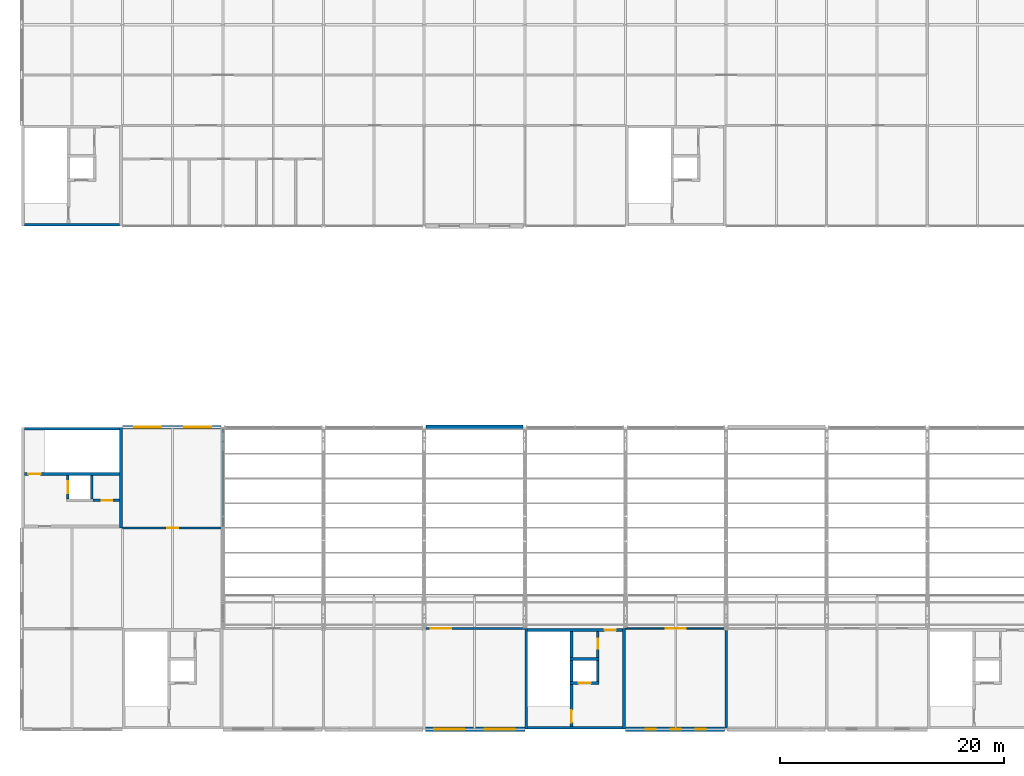
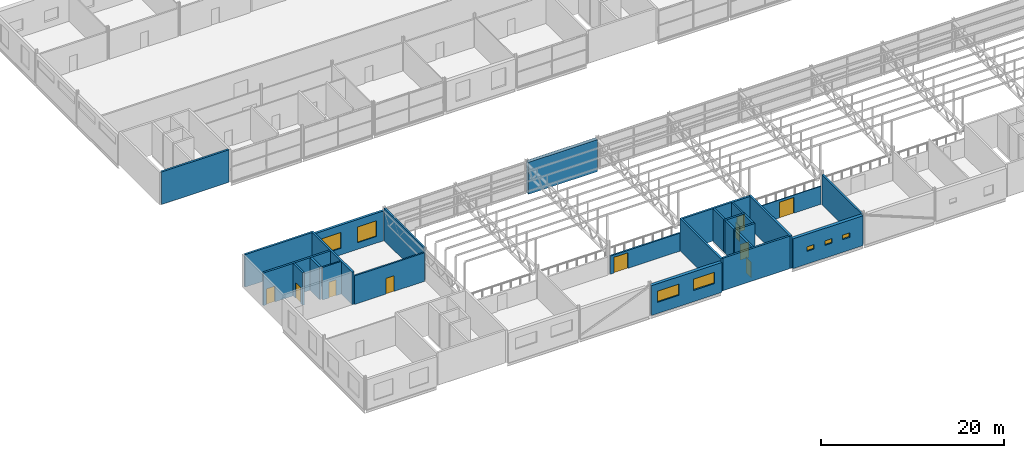
# One storey, part 112 of 138: 25 walls, 10 doors, 7 windows, 17 openings.
"""IFC4 building model written with IfcOpenShell, lengths in metres."""

from ifc_helpers import new_model, si_unit, direction, frame, frame_2d, origin, place, context, subcontext, project, spatial, rectangle, extrude, material, layer, layer_set, type_object, element, fill, save


model = new_model("IFC4")

# Units and contexts
model_context = context("Model", 3, precision=1e-05, world=origin(), true_north=direction((0.0, 1.0)))
body_context = subcontext(model_context, "Body", "Model", "MODEL_VIEW")
ifc_project = project(units=[si_unit("LENGTHUNIT", "METRE"), si_unit("AREAUNIT", "SQUARE_METRE"), si_unit("VOLUMEUNIT", "CUBIC_METRE"), si_unit("PLANEANGLEUNIT", "RADIAN"), si_unit("MASSUNIT", "GRAM", prefix="KILO")], contexts=[model_context])

# Site, building, storey
site_placement = place(None, origin())
site = spatial("IfcSite", under=ifc_project, at=site_placement, CompositionType="ELEMENT")
building_placement = place(site_placement, origin())
building = spatial("IfcBuilding", under=site, at=building_placement, Name="Corbel Yard City Hall", CompositionType="ELEMENT")
storey_placement = place(building_placement, frame((0.0, 0.0, 10.5)))
storey = spatial("IfcBuildingStorey", under=building, at=storey_placement, Name="L02", CompositionType="ELEMENT", Elevation=10.5)

# Walls
ifc_material_1 = material(Name="Concrete N50 (50 MPa)", Category="concrete")
ifc_layer_1 = layer(ifc_material_1, 0.25)
ifc_layer_set_1 = layer_set([ifc_layer_1], Name="Concrete N50 (50 MPa)")
wall_type_1 = type_object("IfcWallType", Name="Core cell wall 250", PredefinedType="SHEAR", material=ifc_layer_set_1)
for number, where, z_axis, x_axis, name in (
    (1, (45.125, 0.0, 0.0), (0.0, 0.0, 1.0), (0.0, 1.0, 0.0), "Core PC-S1 west wall"),
    (2, (53.875, 0.0, 0.0), (0.0, 0.0, 1.0), (0.0, 1.0, 0.0), "Core PC-S1 east wall"),
):
    element("IfcWall", number, at=place(storey_placement, frame(where, z_axis=z_axis, x_axis=x_axis)), inside=storey, type_object=wall_type_1, Name=name, PredefinedType="SHEAR", context=body_context, shape_type="SweptSolid", body=[
        extrude(rectangle(XDim=9.0, YDim=0.25, at=frame_2d((4.5, 0.0))), origin(), (0.0, 0.0, 1.0), 4.35009765625),
    ])
wall_1_placement = place(storey_placement, frame((45.25, 0.125, 0.0), z_axis=(0.0, 0.0, 1.0), x_axis=(1.0, 0.0, 0.0)))
element("IfcWall", 3, at=wall_1_placement, inside=storey, type_object=wall_type_1, Name="Core PC-S1 south wall", PredefinedType="SHEAR", context=body_context, shape_type="SweptSolid", body=[
    extrude(rectangle(XDim=8.5, YDim=0.25, at=frame_2d((4.25, 0.0))), origin(), (0.0, 0.0, 1.0), 4.35009765625),
])

# Wall, opening, door
wall_2_placement = place(storey_placement, frame((45.25, 8.875, 0.0), z_axis=(0.0, 0.0, 1.0), x_axis=(1.0, 0.0, 0.0)))
wall_2 = element("IfcWall", 4, at=wall_2_placement, inside=storey, type_object=wall_type_1, Name="Core PC-S1 north wall", PredefinedType="SHEAR", context=body_context, shape_type="SweptSolid", body=[
    extrude(rectangle(XDim=8.5, YDim=0.25, at=frame_2d((4.25, 0.0))), origin(), (0.0, 0.0, 1.0), 4.35009765625),
])
opening_1_placement = place(wall_2_placement, frame((6.887451171875, 0.0, 0.0)))
opening_1 = element("IfcOpeningElement", 5, at=opening_1_placement, cuts=wall_2, Name="Opening L02-018", PredefinedType="OPENING", context=body_context, shape_type="SweptSolid", body=[
    extrude(rectangle(XDim=1.0, YDim=2.10009765625, at=frame_2d((0.5, 1.050048828125))), frame((0.0, 0.135009765625, 0.0), z_axis=(0.0, -1.0, 0.0), x_axis=(1.0, 0.0, 0.0)), (0.0, 0.0, 1.0), 0.27001953125),
])
ifc_material_2 = material(Name="Steel Grade G250", Category="steel")
door_type_1 = type_object("IfcDoorType", Name="FS1", OperationType="SINGLE_SWING_LEFT", PredefinedType="DOOR", material=ifc_material_2)
door_1_placement = place(opening_1_placement, frame((1.0, 0.0, 0.0), z_axis=(0.0, 0.0, 1.0), x_axis=(-1.0, 0.0, 0.0)))
door_1 = element("IfcDoor", 6, at=door_1_placement, inside=storey, type_object=door_type_1, Name="Door Lift Lobby", OperationType="SINGLE_SWING_RIGHT", OverallHeight=2.10009765625, OverallWidth=1.0, PredefinedType="DOOR", context=body_context, shape_type="SweptSolid", body=[
    extrude(rectangle(XDim=1.0, YDim=2.10009765625, at=frame_2d((0.5, 1.050048828125))), frame((0.0, 0.02490234375, 0.0), z_axis=(0.0, -1.0, 0.0), x_axis=(1.0, 0.0, 0.0)), (0.0, 0.0, 1.0), 0.050048828125),
])
fill(opening_1, door_1)

# Walls
wall_3_placement = place(storey_placement, frame((8.875, 18.0, 0.0), z_axis=(0.0, 0.0, 1.0), x_axis=(0.0, 1.0, 0.0)))
element("IfcWall", 7, at=wall_3_placement, inside=storey, type_object=wall_type_1, Name="Core PC-S5 east wall", PredefinedType="SHEAR", context=body_context, shape_type="SweptSolid", body=[
    extrude(rectangle(XDim=9.0, YDim=0.25, at=frame_2d((4.5, 0.0))), origin(), (0.0, 0.0, 1.0), 4.35009765625),
])
for number, where, z_axis, x_axis, name in (
    (8, (0.25, 26.875, 0.0), (0.0, 0.0, 1.0), (1.0, 0.0, 0.0), "Core PC-S5 north wall"),
    (9, (0.25, 45.125, 0.0), (0.0, 0.0, 1.0), (1.0, 0.0, 0.0), "Core PC-M1 south wall"),
):
    element("IfcWall", number, at=place(storey_placement, frame(where, z_axis=z_axis, x_axis=x_axis)), inside=storey, type_object=wall_type_1, Name=name, PredefinedType="SHEAR", context=body_context, shape_type="SweptSolid", body=[
        extrude(rectangle(XDim=8.5, YDim=0.25, at=frame_2d((4.25, 0.0))), origin(), (0.0, 0.0, 1.0), 4.35009765625),
    ])

# Wall, openings, windows
ifc_material_3 = material(Name="Sandstone cladding", Category="masonry")
ifc_layer_2 = layer(ifc_material_3, 0.0400390625)
ifc_material_4 = material(Name="Air cavity", Category="air")
ifc_layer_3 = layer(ifc_material_4, 0.0400390625)
ifc_material_5 = material(Name="Concrete block", Category="concrete")
ifc_layer_4 = layer(ifc_material_5, 0.18994140625)
ifc_material_6 = material(Name="Gypsum plasterboard", Category="gypsum")
ifc_layer_5 = layer(ifc_material_6, 0.030029296875)
ifc_layer_set_2 = layer_set([ifc_layer_2, ifc_layer_3, ifc_layer_4, ifc_layer_5], Name="Concrete block")
wall_type_2 = type_object("IfcWallType", Name="EW1", PredefinedType="SOLIDWALL", material=ifc_layer_set_2)
wall_4_placement = place(storey_placement, frame((9.0, 27.0, 0.0), z_axis=(0.0, 0.0, 1.0), x_axis=(1.0, 0.0, 0.0)))
wall_4 = element("IfcWall", 10, at=wall_4_placement, inside=storey, type_object=wall_type_2, Name="External wall", PredefinedType="SOLIDWALL", context=body_context, shape_type="SweptSolid", body=[
    extrude(rectangle(XDim=8.845947265625, YDim=0.300048828125, at=frame_2d((4.4228515625, 0.0))), origin(), (0.0, 0.0, 1.0), 3.990966796875),
])
opening_2_placement = place(wall_4_placement, frame((1.050048828125, 0.0, 0.89990234375)))
opening_2 = element("IfcOpeningElement", 11, at=opening_2_placement, cuts=wall_4, Name="Opening WN8", PredefinedType="OPENING", context=body_context, shape_type="SweptSolid", body=[
    extrude(rectangle(XDim=2.39990234375, YDim=2.10009765625, at=frame_2d((1.199951171875, 1.050048828125))), frame((0.0, 0.159912109375, 0.0), z_axis=(0.0, -1.0, 0.0), x_axis=(1.0, 0.0, 0.0)), (0.0, 0.0, 1.0), 0.320068359375),
])
opening_3_placement = place(wall_4_placement, frame((5.550048828125, 0.0, 0.89990234375)))
opening_3 = element("IfcOpeningElement", 12, at=opening_3_placement, cuts=wall_4, Name="Opening WN8", PredefinedType="OPENING", context=body_context, shape_type="SweptSolid", body=[
    extrude(rectangle(XDim=2.39990234375, YDim=2.10009765625, at=frame_2d((1.199951171875, 1.050048828125))), frame((0.0, 0.159912109375, 0.0), z_axis=(0.0, -1.0, 0.0), x_axis=(1.0, 0.0, 0.0)), (0.0, 0.0, 1.0), 0.320068359375),
])
ifc_material_7 = material(Name="Aluminium frame, double glazed low-e glass", Category="aluminium")
window_type_1 = type_object("IfcWindowType", Name="WN8", PartitioningType="SINGLE_PANEL", PredefinedType="WINDOW", material=ifc_material_7)
window_1_placement = place(opening_2_placement, origin())
window_1 = element("IfcWindow", 13, at=window_1_placement, inside=storey, type_object=window_type_1, Name="Window WN8 L02", OverallHeight=2.10009765625, OverallWidth=2.39990234375, PartitioningType="SINGLE_PANEL", PredefinedType="WINDOW", context=body_context, shape_type="SweptSolid", body=[
    extrude(rectangle(XDim=2.39990234375, YDim=2.10009765625, at=frame_2d((1.199951171875, 1.050048828125))), frame((0.0, 0.030029296875, 0.0), z_axis=(0.0, -1.0, 0.0), x_axis=(1.0, 0.0, 0.0)), (0.0, 0.0, 1.0), 0.06005859375),
])
fill(opening_2, window_1)
window_2_placement = place(opening_3_placement, origin())
window_2 = element("IfcWindow", 14, at=window_2_placement, inside=storey, type_object=window_type_1, Name="Window WN8 L02", OverallHeight=2.10009765625, OverallWidth=2.39990234375, PartitioningType="SINGLE_PANEL", PredefinedType="WINDOW", context=body_context, shape_type="SweptSolid", body=[
    extrude(rectangle(XDim=2.39990234375, YDim=2.10009765625, at=frame_2d((1.199951171875, 1.050048828125))), frame((0.0, 0.030029296875, 0.0), z_axis=(0.0, -1.0, 0.0), x_axis=(1.0, 0.0, 0.0)), (0.0, 0.0, 1.0), 0.06005859375),
])
fill(opening_3, window_2)

# Wall
ifc_layer_6 = layer(ifc_material_3, 0.06005859375)
ifc_layer_7 = layer(ifc_material_4, 0.0400390625)
ifc_material_8 = material(Name="Concrete N40 (40 MPa)", Category="concrete")
ifc_layer_8 = layer(ifc_material_8, 0.25)
ifc_material_9 = material(Name="Mineral wool", Category="insulation")
ifc_layer_9 = layer(ifc_material_9, 0.10009765625)
ifc_layer_set_3 = layer_set([ifc_layer_6, ifc_layer_7, ifc_layer_8, ifc_layer_9], Name="Concrete N40 (40 MPa)")
wall_type_3 = type_object("IfcWallType", Name="EW2", PredefinedType="SOLIDWALL", material=ifc_layer_set_3)
wall_5_placement = place(storey_placement, frame((36.154052734375, 27.0, -0.14990234375), z_axis=(0.0, 0.0, 1.0), x_axis=(1.0, 0.0, 0.0)))
element("IfcWall", 15, at=wall_5_placement, inside=storey, type_object=wall_type_3, Name="Entrance pier wall", PredefinedType="SOLIDWALL", context=body_context, shape_type="SweptSolid", body=[
    extrude(rectangle(XDim=8.69189453125, YDim=0.449951171875, at=frame_2d((4.345947265625, 0.0))), origin(), (0.0, 0.0, 1.0), 4.271484375),
])

# Wall, openings, windows
ifc_layer_10 = layer(ifc_material_6, 0.031982421875)
ifc_layer_11 = layer(ifc_material_4, 0.133056640625)
ifc_layer_12 = layer(ifc_material_5, 0.18994140625)
ifc_material_10 = material(Name="Cement render", Category="render")
ifc_layer_13 = layer(ifc_material_10, 0.0400390625)
ifc_material_11 = material(Name="Acoustic sealant", Category="sealant")
ifc_layer_14 = layer(ifc_material_11, 0.0048828125)
ifc_layer_set_4 = layer_set([ifc_layer_10, ifc_layer_11, ifc_layer_12, ifc_layer_13, ifc_layer_14], Name="Concrete block")
wall_type_4 = type_object("IfcWallType", Name="EW3", PredefinedType="SOLIDWALL", material=ifc_layer_set_4)
wall_6_placement = place(storey_placement, frame((36.126953125, 0.0, 0.0), z_axis=(0.0, 0.0, 1.0), x_axis=(1.0, 0.0, 0.0)))
wall_6 = element("IfcWall", 16, at=wall_6_placement, inside=storey, type_object=wall_type_4, Name="Acoustic wall", PredefinedType="SOLIDWALL", context=body_context, shape_type="SweptSolid", body=[
    extrude(rectangle(XDim=8.873046875, YDim=0.39990234375, at=frame_2d((4.4365234375, 0.0))), origin(), (0.0, 0.0, 1.0), 3.990966796875),
])
opening_4_placement = place(wall_6_placement, frame((0.77294921875, 0.0, 1.5)))
opening_4 = element("IfcOpeningElement", 17, at=opening_4_placement, cuts=wall_6, Name="Opening WN3", PredefinedType="OPENING", context=body_context, shape_type="SweptSolid", body=[
    extrude(rectangle(XDim=2.699951171875, YDim=1.5, at=frame_2d((1.35009765625, 0.75))), frame((0.0, 0.2099609375, 0.0), z_axis=(0.0, -1.0, 0.0), x_axis=(1.0, 0.0, 0.0)), (0.0, 0.0, 1.0), 0.419921875),
])
opening_5_placement = place(wall_6_placement, frame((5.27294921875, 0.0, 1.5)))
opening_5 = element("IfcOpeningElement", 18, at=opening_5_placement, cuts=wall_6, Name="Opening WN3", PredefinedType="OPENING", context=body_context, shape_type="SweptSolid", body=[
    extrude(rectangle(XDim=2.699951171875, YDim=1.5, at=frame_2d((1.35009765625, 0.75))), frame((0.0, 0.2099609375, 0.0), z_axis=(0.0, -1.0, 0.0), x_axis=(1.0, 0.0, 0.0)), (0.0, 0.0, 1.0), 0.419921875),
])
ifc_material_12 = material(Name="Aluminium frame, laminated acoustic glass", Category="aluminium")
window_type_2 = type_object("IfcWindowType", Name="WN3", PartitioningType="SINGLE_PANEL", PredefinedType="WINDOW", material=ifc_material_12)
window_3_placement = place(opening_4_placement, origin())
window_3 = element("IfcWindow", 19, at=window_3_placement, inside=storey, type_object=window_type_2, Name="Window WN3 L02", OverallHeight=1.5, OverallWidth=2.699951171875, PartitioningType="SINGLE_PANEL", PredefinedType="WINDOW", context=body_context, shape_type="SweptSolid", body=[
    extrude(rectangle(XDim=2.699951171875, YDim=1.5, at=frame_2d((1.35009765625, 0.75))), frame((0.0, 0.030029296875, 0.0), z_axis=(0.0, -1.0, 0.0), x_axis=(1.0, 0.0, 0.0)), (0.0, 0.0, 1.0), 0.06005859375),
])
fill(opening_4, window_3)
window_4_placement = place(opening_5_placement, origin())
window_4 = element("IfcWindow", 20, at=window_4_placement, inside=storey, type_object=window_type_2, Name="Window WN3 L02", OverallHeight=1.5, OverallWidth=2.699951171875, PartitioningType="SINGLE_PANEL", PredefinedType="WINDOW", context=body_context, shape_type="SweptSolid", body=[
    extrude(rectangle(XDim=2.699951171875, YDim=1.5, at=frame_2d((1.35009765625, 0.75))), frame((0.0, 0.030029296875, 0.0), z_axis=(0.0, -1.0, 0.0), x_axis=(1.0, 0.0, 0.0)), (0.0, 0.0, 1.0), 0.06005859375),
])
fill(opening_5, window_4)

wall_7_placement = place(storey_placement, frame((54.0, 0.0, 0.0), z_axis=(0.0, 0.0, 1.0), x_axis=(1.0, 0.0, 0.0)))
wall_7 = element("IfcWall", 21, at=wall_7_placement, inside=storey, type_object=wall_type_4, Name="Acoustic wall", PredefinedType="SOLIDWALL", context=body_context, shape_type="SweptSolid", body=[
    extrude(rectangle(XDim=8.873046875, YDim=0.39990234375, at=frame_2d((4.4365234375, 0.0))), origin(), (0.0, 0.0, 1.0), 3.990966796875),
])
opening_6_placement = place(wall_7_placement, frame((1.800048828125, 0.0, 1.699951171875)))
opening_6 = element("IfcOpeningElement", 22, at=opening_6_placement, cuts=wall_7, Name="Opening WN10", PredefinedType="OPENING", context=body_context, shape_type="SweptSolid", body=[
    extrude(rectangle(XDim=0.89990234375, YDim=0.60009765625, at=frame_2d((0.449951171875, 0.300048828125))), frame((0.0, 0.2099609375, 0.0), z_axis=(0.0, -1.0, 0.0), x_axis=(1.0, 0.0, 0.0)), (0.0, 0.0, 1.0), 0.419921875),
])
opening_7_placement = place(wall_7_placement, frame((6.300048828125, 0.0, 1.699951171875)))
opening_7 = element("IfcOpeningElement", 23, at=opening_7_placement, cuts=wall_7, Name="Opening WN10", PredefinedType="OPENING", context=body_context, shape_type="SweptSolid", body=[
    extrude(rectangle(XDim=0.89990234375, YDim=0.60009765625, at=frame_2d((0.449951171875, 0.300048828125))), frame((0.0, 0.2099609375, 0.0), z_axis=(0.0, -1.0, 0.0), x_axis=(1.0, 0.0, 0.0)), (0.0, 0.0, 1.0), 0.419921875),
])
opening_8_placement = place(wall_7_placement, frame((4.050048828125, 0.0, 1.699951171875)))
opening_8 = element("IfcOpeningElement", 24, at=opening_8_placement, cuts=wall_7, Name="Opening WN10", PredefinedType="OPENING", context=body_context, shape_type="SweptSolid", body=[
    extrude(rectangle(XDim=0.89990234375, YDim=0.60009765625, at=frame_2d((0.449951171875, 0.300048828125))), frame((0.0, 0.2099609375, 0.0), z_axis=(0.0, -1.0, 0.0), x_axis=(1.0, 0.0, 0.0)), (0.0, 0.0, 1.0), 0.419921875),
])
ifc_material_13 = material(Name="Aluminium frame, obscure laminated glass", Category="aluminium")
window_type_3 = type_object("IfcWindowType", Name="WN10", PartitioningType="SINGLE_PANEL", PredefinedType="WINDOW", material=ifc_material_13)
window_5_placement = place(opening_6_placement, origin())
window_5 = element("IfcWindow", 25, at=window_5_placement, inside=storey, type_object=window_type_3, Name="Window WN10 L02", OverallHeight=0.60009765625, OverallWidth=0.89990234375, PartitioningType="SINGLE_PANEL", PredefinedType="WINDOW", context=body_context, shape_type="SweptSolid", body=[
    extrude(rectangle(XDim=0.89990234375, YDim=0.60009765625, at=frame_2d((0.449951171875, 0.300048828125))), frame((0.0, 0.030029296875, 0.0), z_axis=(0.0, -1.0, 0.0), x_axis=(1.0, 0.0, 0.0)), (0.0, 0.0, 1.0), 0.06005859375),
])
fill(opening_6, window_5)
window_6_placement = place(opening_7_placement, origin())
window_6 = element("IfcWindow", 26, at=window_6_placement, inside=storey, type_object=window_type_3, Name="Window WN10 L02", OverallHeight=0.60009765625, OverallWidth=0.89990234375, PartitioningType="SINGLE_PANEL", PredefinedType="WINDOW", context=body_context, shape_type="SweptSolid", body=[
    extrude(rectangle(XDim=0.89990234375, YDim=0.60009765625, at=frame_2d((0.449951171875, 0.300048828125))), frame((0.0, 0.030029296875, 0.0), z_axis=(0.0, -1.0, 0.0), x_axis=(1.0, 0.0, 0.0)), (0.0, 0.0, 1.0), 0.06005859375),
])
fill(opening_7, window_6)
window_7_placement = place(opening_8_placement, origin())
window_7 = element("IfcWindow", 27, at=window_7_placement, inside=storey, type_object=window_type_3, Name="Window WN10 L02", OverallHeight=0.60009765625, OverallWidth=0.89990234375, PartitioningType="SINGLE_PANEL", PredefinedType="WINDOW", context=body_context, shape_type="SweptSolid", body=[
    extrude(rectangle(XDim=0.89990234375, YDim=0.60009765625, at=frame_2d((0.449951171875, 0.300048828125))), frame((0.0, 0.030029296875, 0.0), z_axis=(0.0, -1.0, 0.0), x_axis=(1.0, 0.0, 0.0)), (0.0, 0.0, 1.0), 0.06005859375),
])
fill(opening_8, window_7)

# Wall, opening, door
ifc_layer_15 = layer(ifc_material_8, 0.25)
ifc_layer_set_5 = layer_set([ifc_layer_15], Name="Concrete N40 (40 MPa)")
wall_type_5 = type_object("IfcWallType", Name="IW2", PredefinedType="SOLIDWALL", material=ifc_layer_set_5)
wall_8_placement = place(storey_placement, frame((49.175048828125, 0.25, 0.0), z_axis=(0.0, 0.0, 1.0), x_axis=(0.0, 1.0, 0.0)))
wall_8 = element("IfcWall", 28, at=wall_8_placement, inside=storey, type_object=wall_type_5, Name="Stair enclosure wall", PredefinedType="SOLIDWALL", context=body_context, shape_type="SweptSolid", body=[
    extrude(rectangle(XDim=8.5, YDim=0.25, at=frame_2d((4.25, 0.0))), origin(), (0.0, 0.0, 1.0), 4.35009765625),
])
opening_9_placement = place(wall_8_placement, frame((0.35009765625, 0.0, 0.0)))
opening_9 = element("IfcOpeningElement", 29, at=opening_9_placement, cuts=wall_8, Name="Opening L02-017", PredefinedType="OPENING", context=body_context, shape_type="SweptSolid", body=[
    extrude(rectangle(XDim=1.10009765625, YDim=2.10009765625, at=frame_2d((0.550048828125, 1.050048828125))), frame((0.0, 0.135009765625, 0.0), z_axis=(0.0, -1.0, 0.0), x_axis=(1.0, 0.0, 0.0)), (0.0, 0.0, 1.0), 0.27001953125),
])
door_type_2 = type_object("IfcDoorType", Name="FS11", OperationType="SINGLE_SWING_LEFT", PredefinedType="DOOR", material=ifc_material_2)
door_2_placement = place(opening_9_placement, origin())
door_2 = element("IfcDoor", 30, at=door_2_placement, inside=storey, type_object=door_type_2, Name="Door Exit Stair 2", OperationType="SINGLE_SWING_LEFT", OverallHeight=2.10009765625, OverallWidth=1.10009765625, PredefinedType="DOOR", context=body_context, shape_type="SweptSolid", body=[
    extrude(rectangle(XDim=1.10009765625, YDim=2.10009765625, at=frame_2d((0.550048828125, 1.050048828125))), frame((0.0, 0.02490234375, 0.0), z_axis=(0.0, -1.0, 0.0), x_axis=(1.0, 0.0, 0.0)), (0.0, 0.0, 1.0), 0.050048828125),
])
fill(opening_9, door_2)

wall_9_placement = place(storey_placement, frame((49.050048828125, 4.125, 0.0), z_axis=(0.0, 0.0, 1.0), x_axis=(1.0, 0.0, 0.0)))
wall_9 = element("IfcWall", 31, at=wall_9_placement, inside=storey, type_object=wall_type_5, Name="Lift LP2 shaft wall", PredefinedType="SOLIDWALL", context=body_context, shape_type="SweptSolid", body=[
    extrude(rectangle(XDim=2.599853515625, YDim=0.25, at=frame_2d((1.2998046875, 0.0))), origin(), (0.0, 0.0, 1.0), 4.35009765625),
])
opening_10_placement = place(wall_9_placement, frame((0.75, 0.0, 0.0)))
opening_10 = element("IfcOpeningElement", 32, at=opening_10_placement, cuts=wall_9, Name="Opening L02-002", PredefinedType="OPENING", context=body_context, shape_type="SweptSolid", body=[
    extrude(rectangle(XDim=1.10009765625, YDim=2.10009765625, at=frame_2d((0.550048828125, 1.050048828125))), frame((0.0, 0.135009765625, 0.0), z_axis=(0.0, -1.0, 0.0), x_axis=(1.0, 0.0, 0.0)), (0.0, 0.0, 1.0), 0.27001953125),
])
ifc_material_14 = material(Name="Stainless steel Grade 316", Category="steel")
door_type_3 = type_object("IfcDoorType", Name="LD1", OperationType="DOUBLE_DOOR_SLIDING", PredefinedType="DOOR", material=ifc_material_14)
door_3_placement = place(opening_10_placement, origin())
door_3 = element("IfcDoor", 33, at=door_3_placement, inside=storey, type_object=door_type_3, Name="Lift LP2 landing door", OperationType="DOUBLE_DOOR_SLIDING", OverallHeight=2.10009765625, OverallWidth=1.10009765625, PredefinedType="DOOR", context=body_context, shape_type="SweptSolid", body=[
    extrude(rectangle(XDim=1.10009765625, YDim=2.10009765625, at=frame_2d((0.550048828125, 1.050048828125))), frame((0.0, 0.02490234375, 0.0), z_axis=(0.0, -1.0, 0.0), x_axis=(1.0, 0.0, 0.0)), (0.0, 0.0, 1.0), 0.050048828125),
])
fill(opening_10, door_3)

# Walls
wall_10_placement = place(storey_placement, frame((49.050048828125, 6.27490234375, 0.0), z_axis=(0.0, 0.0, 1.0), x_axis=(1.0, 0.0, 0.0)))
element("IfcWall", 34, at=wall_10_placement, inside=storey, type_object=wall_type_5, Name="Lift LP2 shaft wall", PredefinedType="SOLIDWALL", context=body_context, shape_type="SweptSolid", body=[
    extrude(rectangle(XDim=2.599853515625, YDim=0.25, at=frame_2d((1.2998046875, 0.0))), origin(), (0.0, 0.0, 1.0), 4.35009765625),
])
wall_11_placement = place(storey_placement, frame((51.52490234375, 4.25, 0.0), z_axis=(0.0, 0.0, 1.0), x_axis=(0.0, 1.0, 0.0)))
element("IfcWall", 35, at=wall_11_placement, inside=storey, type_object=wall_type_5, Name="Lift LP2 shaft wall", PredefinedType="SOLIDWALL", context=body_context, shape_type="SweptSolid", body=[
    extrude(rectangle(XDim=1.89990234375, YDim=0.25, at=frame_2d((0.949951171875, 0.0))), origin(), (0.0, 0.0, 1.0), 4.35009765625),
])

# Wall, opening, door
wall_12_placement = place(storey_placement, frame((0.25, 22.824951171875, 0.0), z_axis=(0.0, 0.0, 1.0), x_axis=(1.0, 0.0, 0.0)))
wall_12 = element("IfcWall", 36, at=wall_12_placement, inside=storey, type_object=wall_type_5, Name="Stair enclosure wall", PredefinedType="SOLIDWALL", context=body_context, shape_type="SweptSolid", body=[
    extrude(rectangle(XDim=8.5, YDim=0.25, at=frame_2d((4.25, 0.0))), origin(), (0.0, 0.0, 1.0), 4.35009765625),
])
opening_11_placement = place(wall_12_placement, frame((0.35009765625, 0.0, 0.0)))
opening_11 = element("IfcOpeningElement", 37, at=opening_11_placement, cuts=wall_12, Name="Opening L02-014", PredefinedType="OPENING", context=body_context, shape_type="SweptSolid", body=[
    extrude(rectangle(XDim=1.10009765625, YDim=2.10009765625, at=frame_2d((0.550048828125, 1.050048828125))), frame((0.0, 0.135009765625, 0.0), z_axis=(0.0, -1.0, 0.0), x_axis=(1.0, 0.0, 0.0)), (0.0, 0.0, 1.0), 0.27001953125),
])
door_4_placement = place(opening_11_placement, origin())
door_4 = element("IfcDoor", 38, at=door_4_placement, inside=storey, type_object=door_type_2, Name="Door Exit Stair 6", OperationType="SINGLE_SWING_LEFT", OverallHeight=2.10009765625, OverallWidth=1.10009765625, PredefinedType="DOOR", context=body_context, shape_type="SweptSolid", body=[
    extrude(rectangle(XDim=1.10009765625, YDim=2.10009765625, at=frame_2d((0.550048828125, 1.050048828125))), frame((0.0, 0.02490234375, 0.0), z_axis=(0.0, -1.0, 0.0), x_axis=(1.0, 0.0, 0.0)), (0.0, 0.0, 1.0), 0.050048828125),
])
fill(opening_11, door_4)

wall_13_placement = place(storey_placement, frame((4.125, 20.60009765625, 0.0), z_axis=(0.0, 0.0, 1.0), x_axis=(0.0, 1.0, 0.0)))
wall_13 = element("IfcWall", 39, at=wall_13_placement, inside=storey, type_object=wall_type_5, Name="Lift LP6 shaft wall", PredefinedType="SOLIDWALL", context=body_context, shape_type="SweptSolid", body=[
    extrude(rectangle(XDim=2.099853515625, YDim=0.25, at=frame_2d((1.0498046875, 0.0))), origin(), (0.0, 0.0, 1.0), 4.35009765625),
])
opening_12_placement = place(wall_13_placement, frame((0.5, 0.0, 0.0)))
opening_12 = element("IfcOpeningElement", 40, at=opening_12_placement, cuts=wall_13, Name="Opening L02-006", PredefinedType="OPENING", context=body_context, shape_type="SweptSolid", body=[
    extrude(rectangle(XDim=1.10009765625, YDim=2.10009765625, at=frame_2d((0.550048828125, 1.050048828125))), frame((0.0, 0.135009765625, 0.0), z_axis=(0.0, -1.0, 0.0), x_axis=(1.0, 0.0, 0.0)), (0.0, 0.0, 1.0), 0.27001953125),
])
door_5_placement = place(opening_12_placement, origin())
door_5 = element("IfcDoor", 41, at=door_5_placement, inside=storey, type_object=door_type_3, Name="Lift LP6 landing door", OperationType="DOUBLE_DOOR_SLIDING", OverallHeight=2.10009765625, OverallWidth=1.10009765625, PredefinedType="DOOR", context=body_context, shape_type="SweptSolid", body=[
    extrude(rectangle(XDim=1.10009765625, YDim=2.10009765625, at=frame_2d((0.550048828125, 1.050048828125))), frame((0.0, 0.02490234375, 0.0), z_axis=(0.0, -1.0, 0.0), x_axis=(1.0, 0.0, 0.0)), (0.0, 0.0, 1.0), 0.050048828125),
])
fill(opening_12, door_5)

# Wall
wall_14_placement = place(storey_placement, frame((6.27490234375, 20.60009765625, 0.0), z_axis=(0.0, 0.0, 1.0), x_axis=(0.0, 1.0, 0.0)))
element("IfcWall", 42, at=wall_14_placement, inside=storey, type_object=wall_type_5, Name="Lift LP6 shaft wall", PredefinedType="SOLIDWALL", context=body_context, shape_type="SweptSolid", body=[
    extrude(rectangle(XDim=2.099853515625, YDim=0.25, at=frame_2d((1.0498046875, 0.0))), origin(), (0.0, 0.0, 1.0), 4.35009765625),
])

# Wall, opening, door
ifc_layer_16 = layer(ifc_material_6, 0.028076171875)
ifc_material_15 = material(Name="Steel Grade G550 (550 MPa yield)", Category="steel")
ifc_layer_17 = layer(ifc_material_15, 0.06396484375)
ifc_layer_18 = layer(ifc_material_6, 0.028076171875)
ifc_layer_set_6 = layer_set([ifc_layer_16, ifc_layer_17, ifc_layer_18], Name="Steel Grade G550 (550 MPa yield)")
wall_type_6 = type_object("IfcWallType", Name="PT1", PredefinedType="PARTITIONING", material=ifc_layer_set_6)
wall_15_placement = place(storey_placement, frame((54.0, 9.0, 0.0), z_axis=(0.0, 0.0, 1.0), x_axis=(1.0, 0.0, 0.0)))
wall_15 = element("IfcWall", 43, at=wall_15_placement, inside=storey, type_object=wall_type_6, Name="Partition", PredefinedType="PARTITIONING", context=body_context, shape_type="SweptSolid", body=[
    extrude(rectangle(XDim=8.845947265625, YDim=0.1201171875, at=frame_2d((4.4228515625, 0.0))), origin(), (0.0, 0.0, 1.0), 2.414306640625),
])
opening_13_placement = place(wall_15_placement, frame((3.60009765625, 0.0, 0.0)))
opening_13 = element("IfcOpeningElement", 44, at=opening_13_placement, cuts=wall_15, Name="Opening L02-031", PredefinedType="OPENING", context=body_context, shape_type="SweptSolid", body=[
    extrude(rectangle(XDim=1.800048828125, YDim=2.10009765625, at=frame_2d((0.89990234375, 1.050048828125))), frame((0.0, 0.070068359375, 0.0), z_axis=(0.0, -1.0, 0.0), x_axis=(1.0, 0.0, 0.0)), (0.0, 0.0, 1.0), 0.14013671875),
])
ifc_material_16 = material(Name="Timber", Category="wood")
door_type_4 = type_object("IfcDoorType", Name="D3", OperationType="DOUBLE_DOOR_SINGLE_SWING", PredefinedType="DOOR", material=ifc_material_16)
door_6_placement = place(opening_13_placement, origin())
door_6 = element("IfcDoor", 45, at=door_6_placement, inside=storey, type_object=door_type_4, Name="Door Women's WC Block", OperationType="DOUBLE_DOOR_SINGLE_SWING", OverallHeight=2.10009765625, OverallWidth=1.800048828125, PredefinedType="DOOR", context=body_context, shape_type="SweptSolid", body=[
    extrude(rectangle(XDim=1.800048828125, YDim=2.10009765625, at=frame_2d((0.89990234375, 1.050048828125))), frame((0.0, 0.02490234375, 0.0), z_axis=(0.0, -1.0, 0.0), x_axis=(1.0, 0.0, 0.0)), (0.0, 0.0, 1.0), 0.050048828125),
])
fill(opening_13, door_6)

ifc_layer_19 = layer(ifc_material_6, 0.031982421875)
ifc_layer_20 = layer(ifc_material_15, 0.135986328125)
ifc_layer_21 = layer(ifc_material_6, 0.031982421875)
ifc_layer_set_7 = layer_set([ifc_layer_19, ifc_layer_20, ifc_layer_21], Name="Steel Grade G550 (550 MPa yield)")
wall_type_7 = type_object("IfcWallType", Name="PT2", PredefinedType="PARTITIONING", material=ifc_layer_set_7)
wall_16_placement = place(storey_placement, frame((36.154052734375, 9.0, 0.0), z_axis=(0.0, 0.0, 1.0), x_axis=(1.0, 0.0, 0.0)))
wall_16 = element("IfcWall", 46, at=wall_16_placement, inside=storey, type_object=wall_type_7, Name="Acoustic wall", PredefinedType="PARTITIONING", context=body_context, shape_type="SweptSolid", body=[
    extrude(rectangle(XDim=8.845947265625, YDim=0.199951171875, at=frame_2d((4.4228515625, 0.0))), origin(), (0.0, 0.0, 1.0), 2.414306640625),
])
opening_14_placement = place(wall_16_placement, frame((0.446044921875, 0.0, 0.0)))
opening_14 = element("IfcOpeningElement", 47, at=opening_14_placement, cuts=wall_16, Name="Opening L02-030", PredefinedType="OPENING", context=body_context, shape_type="SweptSolid", body=[
    extrude(rectangle(XDim=1.800048828125, YDim=2.10009765625, at=frame_2d((0.89990234375, 1.050048828125))), frame((0.0, 0.10986328125, 0.0), z_axis=(0.0, -1.0, 0.0), x_axis=(1.0, 0.0, 0.0)), (0.0, 0.0, 1.0), 0.219970703125),
])
door_7_placement = place(opening_14_placement, origin())
door_7 = element("IfcDoor", 48, at=door_7_placement, inside=storey, type_object=door_type_4, Name="Door Civic Education Room", OperationType="DOUBLE_DOOR_SINGLE_SWING", OverallHeight=2.10009765625, OverallWidth=1.800048828125, PredefinedType="DOOR", context=body_context, shape_type="SweptSolid", body=[
    extrude(rectangle(XDim=1.800048828125, YDim=2.10009765625, at=frame_2d((0.89990234375, 1.050048828125))), frame((0.0, 0.02490234375, 0.0), z_axis=(0.0, -1.0, 0.0), x_axis=(1.0, 0.0, 0.0)), (0.0, 0.0, 1.0), 0.050048828125),
])
fill(opening_14, door_7)

wall_17_placement = place(storey_placement, frame((9.0, 18.0, 0.0), z_axis=(0.0, 0.0, 1.0), x_axis=(1.0, 0.0, 0.0)))
wall_17 = element("IfcWall", 49, at=wall_17_placement, inside=storey, type_object=wall_type_7, Name="Acoustic wall", PredefinedType="PARTITIONING", context=body_context, shape_type="SweptSolid", body=[
    extrude(rectangle(XDim=8.8701171875, YDim=0.199951171875, at=frame_2d((4.43505859375, 0.0))), origin(), (0.0, 0.0, 1.0), 3.822021484375),
])
opening_15_placement = place(wall_17_placement, frame((4.0, 0.0, 0.0)))
opening_15 = element("IfcOpeningElement", 50, at=opening_15_placement, cuts=wall_17, Name="Opening L02-010", PredefinedType="OPENING", context=body_context, shape_type="SweptSolid", body=[
    extrude(rectangle(XDim=1.0, YDim=2.10009765625, at=frame_2d((0.5, 1.050048828125))), frame((0.0, 0.10986328125, 0.0), z_axis=(0.0, -1.0, 0.0), x_axis=(1.0, 0.0, 0.0)), (0.0, 0.0, 1.0), 0.219970703125),
])
door_type_5 = type_object("IfcDoorType", Name="D1", OperationType="SINGLE_SWING_LEFT", PredefinedType="DOOR", material=ifc_material_16)
door_8_placement = place(opening_15_placement, origin())
door_8 = element("IfcDoor", 51, at=door_8_placement, inside=storey, type_object=door_type_5, Name="Door Briefing Room 2", OperationType="SINGLE_SWING_RIGHT", OverallHeight=2.10009765625, OverallWidth=1.0, PredefinedType="DOOR", context=body_context, shape_type="SweptSolid", body=[
    extrude(rectangle(XDim=1.0, YDim=2.10009765625, at=frame_2d((0.5, 1.050048828125))), frame((0.0, 0.02490234375, 0.0), z_axis=(0.0, -1.0, 0.0), x_axis=(1.0, 0.0, 0.0)), (0.0, 0.0, 1.0), 0.050048828125),
])
fill(opening_15, door_8)

# Wall
wall_18_placement = place(storey_placement, frame((18.0, 18.1298828125, 0.0), z_axis=(0.0, 0.0, 1.0), x_axis=(0.0, 1.0, 0.0)))
element("IfcWall", 52, at=wall_18_placement, inside=storey, type_object=wall_type_7, Name="Acoustic wall", PredefinedType="PARTITIONING", context=body_context, shape_type="SweptSolid", body=[
    extrude(rectangle(XDim=8.716064453125, YDim=0.199951171875, at=frame_2d((4.35791015625, 0.0))), origin(), (0.0, 0.0, 1.0), 4.35009765625),
])

# Wall, opening, door
ifc_material_17 = material(Name="Concrete block", Category="concrete")
ifc_layer_22 = layer(ifc_material_17, 0.18994140625)
ifc_layer_set_8 = layer_set([ifc_layer_22], Name="Concrete block")
wall_type_8 = type_object("IfcWallType", Name="PT4", PredefinedType="PARTITIONING", material=ifc_layer_set_8)
wall_19_placement = place(storey_placement, frame((6.39990234375, 20.47509765625, 0.0), z_axis=(0.0, 0.0, 1.0), x_axis=(1.0, 0.0, 0.0)))
wall_19 = element("IfcWall", 53, at=wall_19_placement, inside=storey, type_object=wall_type_8, Name="Fire-resisting block wall", PredefinedType="PARTITIONING", context=body_context, shape_type="SweptSolid", body=[
    extrude(rectangle(XDim=2.35009765625, YDim=0.18994140625, at=frame_2d((1.175048828125, 0.0))), origin(), (0.0, 0.0, 1.0), 4.35009765625),
])
opening_16_placement = place(wall_19_placement, frame((0.777587890625, 0.0, 0.0)))
opening_16 = element("IfcOpeningElement", 54, at=opening_16_placement, cuts=wall_19, Name="Opening L02-016", PredefinedType="OPENING", context=body_context, shape_type="SweptSolid", body=[
    extrude(rectangle(XDim=0.919921875, YDim=2.10009765625, at=frame_2d((0.4599609375, 1.050048828125))), frame((0.0, 0.10498046875, 0.0), z_axis=(0.0, -1.0, 0.0), x_axis=(1.0, 0.0, 0.0)), (0.0, 0.0, 1.0), 0.2099609375),
])
door_type_6 = type_object("IfcDoorType", Name="FS5", OperationType="SINGLE_SWING_RIGHT", PredefinedType="DOOR", material=ifc_material_2)
door_9_placement = place(opening_16_placement, origin())
door_9 = element("IfcDoor", 55, at=door_9_placement, inside=storey, type_object=door_type_6, Name="Door Service Riser", OperationType="SINGLE_SWING_RIGHT", OverallHeight=2.10009765625, OverallWidth=0.919921875, PredefinedType="DOOR", context=body_context, shape_type="SweptSolid", body=[
    extrude(rectangle(XDim=0.919921875, YDim=2.10009765625, at=frame_2d((0.4599609375, 1.050048828125))), frame((0.0, 0.02490234375, 0.0), z_axis=(0.0, -1.0, 0.0), x_axis=(1.0, 0.0, 0.0)), (0.0, 0.0, 1.0), 0.050048828125),
])
fill(opening_16, door_9)

wall_20_placement = place(storey_placement, frame((51.52490234375, 6.39990234375, 0.0), z_axis=(0.0, 0.0, 1.0), x_axis=(0.0, 1.0, 0.0)))
wall_20 = element("IfcWall", 56, at=wall_20_placement, inside=storey, type_object=wall_type_8, Name="Fire-resisting block wall", PredefinedType="PARTITIONING", context=body_context, shape_type="SweptSolid", body=[
    extrude(rectangle(XDim=2.35009765625, YDim=0.18994140625, at=frame_2d((1.175048828125, 0.0))), origin(), (0.0, 0.0, 1.0), 4.35009765625),
])
opening_17_placement = place(wall_20_placement, frame((0.777587890625, 0.0, 0.0)))
opening_17 = element("IfcOpeningElement", 57, at=opening_17_placement, cuts=wall_20, Name="Opening L02-019", PredefinedType="OPENING", context=body_context, shape_type="SweptSolid", body=[
    extrude(rectangle(XDim=0.919921875, YDim=2.10009765625, at=frame_2d((0.4599609375, 1.050048828125))), frame((0.0, 0.10498046875, 0.0), z_axis=(0.0, -1.0, 0.0), x_axis=(1.0, 0.0, 0.0)), (0.0, 0.0, 1.0), 0.2099609375),
])
door_10_placement = place(opening_17_placement, origin())
door_10 = element("IfcDoor", 58, at=door_10_placement, inside=storey, type_object=door_type_6, Name="Door Service Riser", OperationType="SINGLE_SWING_RIGHT", OverallHeight=2.10009765625, OverallWidth=0.919921875, PredefinedType="DOOR", context=body_context, shape_type="SweptSolid", body=[
    extrude(rectangle(XDim=0.919921875, YDim=2.10009765625, at=frame_2d((0.4599609375, 1.050048828125))), frame((0.0, 0.02490234375, 0.0), z_axis=(0.0, -1.0, 0.0), x_axis=(1.0, 0.0, 0.0)), (0.0, 0.0, 1.0), 0.050048828125),
])
fill(opening_17, door_10)

# Wall
ifc_layer_23 = layer(ifc_material_6, 0.031982421875)
ifc_layer_24 = layer(ifc_material_15, 0.156005859375)
ifc_layer_25 = layer(ifc_material_6, 0.031982421875)
ifc_layer_set_9 = layer_set([ifc_layer_23, ifc_layer_24, ifc_layer_25], Name="Steel Grade G550 (550 MPa yield)")
wall_type_9 = type_object("IfcWallType", Name="PT5", PredefinedType="PLUMBINGWALL", material=ifc_layer_set_9)
wall_21_placement = place(storey_placement, frame((63.0, 0.126953125, 0.0), z_axis=(0.0, 0.0, 1.0), x_axis=(0.0, 1.0, 0.0)))
element("IfcWall", 59, at=wall_21_placement, inside=storey, type_object=wall_type_9, Name="Wet wall", PredefinedType="PLUMBINGWALL", context=body_context, shape_type="SweptSolid", body=[
    extrude(rectangle(XDim=8.718994140625, YDim=0.219970703125, at=frame_2d((4.359375, 0.0))), origin(), (0.0, 0.0, 1.0), 3.998046875),
])

save(model, "model.ifc")
